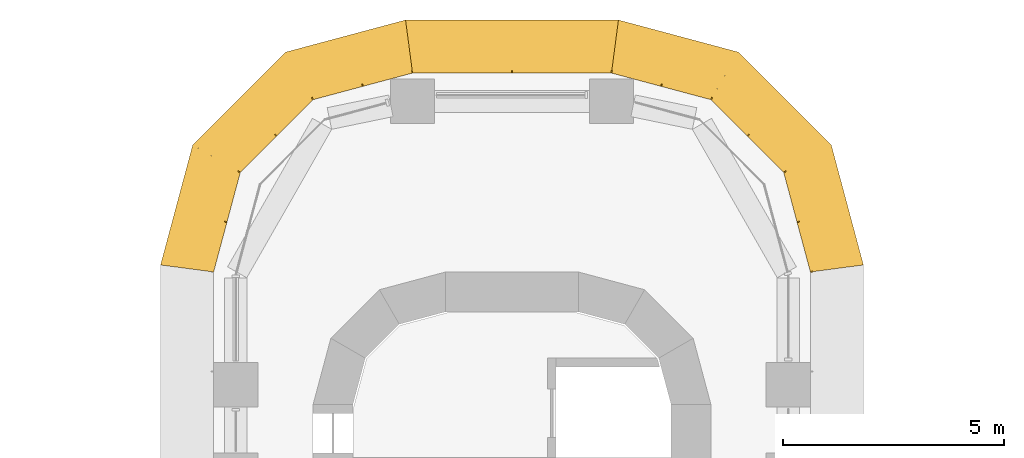
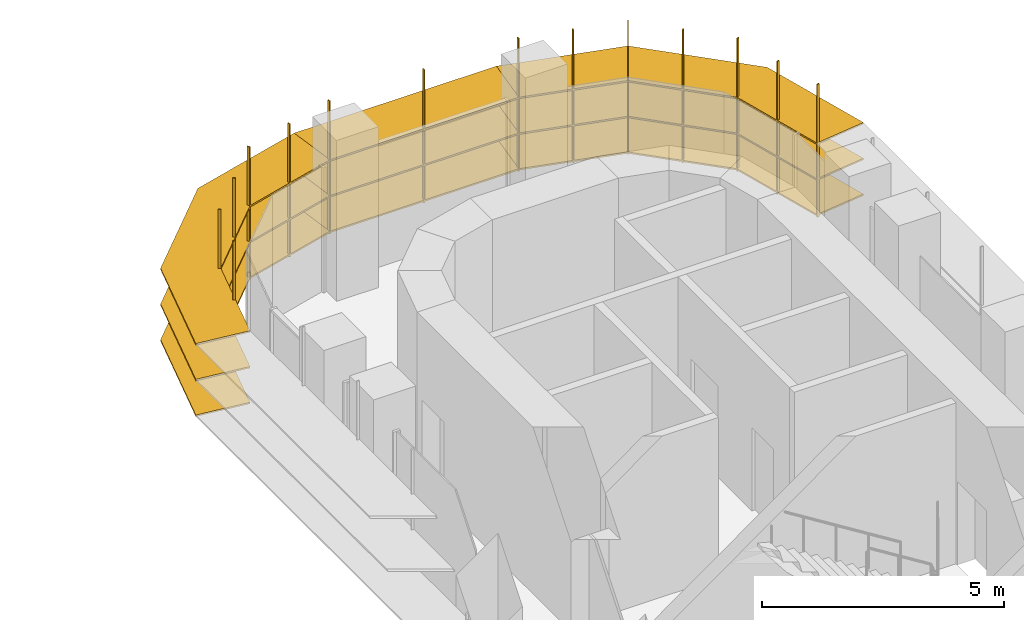
# One storey, part 23 of 23: 3 shading devices.
"""IFC4 building model written with IfcOpenShell, lengths in metres."""

from ifc_helpers import new_model, si_unit, direction, frame, origin, place, context, subcontext, project, spatial, polyline, outline, extrude, faceted_brep, source, transform, mapped, material, type_object, element, save


model = new_model("IFC4")

# Units and contexts
model_context = context("Model", 3, precision=1e-05, world=origin(), true_north=direction((0.0, 1.0)))
body_context = subcontext(model_context, "Body", "Model", "MODEL_VIEW")
ifc_project = project(units=[si_unit("LENGTHUNIT", "METRE"), si_unit("AREAUNIT", "SQUARE_METRE"), si_unit("VOLUMEUNIT", "CUBIC_METRE"), si_unit("PLANEANGLEUNIT", "RADIAN"), si_unit("MASSUNIT", "GRAM", prefix="KILO")], contexts=[model_context])

# Site, building, storey
site_placement = place(None, origin())
site = spatial("IfcSite", under=ifc_project, at=site_placement, CompositionType="ELEMENT")
building_placement = place(site_placement, origin())
building = spatial("IfcBuilding", under=site, at=building_placement, Name="Zarbagh Exchange Tower", CompositionType="ELEMENT")
storey_placement = place(building_placement, frame((0.0, 0.0, 35.39990234375)))
storey = spatial("IfcBuildingStorey", under=building, at=storey_placement, Name="L07", CompositionType="ELEMENT", Elevation=35.39990234375)

# Shading devices
ifc_material = material(Name="Anodised aluminium blades and brackets", Category="aluminium")
shading_device_type = type_object("IfcShadingDeviceType", Name="SUNSHADE louvre band, 0 degree blades", PredefinedType="JALOUSIE", material=ifc_material)
shared_shape_1 = source(origin(), body_context, "Body", "Brep", [
    faceted_brep([(0.0, 0.0, 0.0), (0.0, 0.0, -0.0400390625), (-0.157958984375, -1.199951171875, -0.0400390625), (-0.157958984375, -1.199951171875, 0.0), (2.65087890625, -1.199951171875, 0.0), (2.65087890625, -1.199951171875, -0.0400390625), (2.329345703125, 0.0, -0.0400390625), (2.329345703125, 0.0, 0.0)], [[[0, 1, 2, 3]], [[4, 5, 6, 7]], [[0, 7, 6, 1]], [[1, 6, 5, 2]], [[2, 5, 4, 3]], [[3, 4, 7, 0]]]),
])
shared_shape_2 = source(origin(), body_context, "Body", "Brep", [
    faceted_brep([(0.0, 0.0, 0.0), (0.0, 0.0, -0.0400390625), (-0.321533203125, -1.199951171875, -0.0400390625), (-0.321533203125, -1.199951171875, 0.0), (2.65087890625, -1.199951171875, 0.0), (2.65087890625, -1.199951171875, -0.0400390625), (2.329345703125, 0.0, -0.0400390625), (2.329345703125, 0.0, 0.0)], [[[0, 1, 2, 3]], [[4, 5, 6, 7]], [[0, 7, 6, 1]], [[1, 6, 5, 2]], [[2, 5, 4, 3]], [[3, 4, 7, 0]]]),
])
shared_shape_3 = source(origin(), body_context, "Body", "Brep", [
    faceted_brep([(0.0, 0.0, 0.0), (0.0, 0.0, -0.0400390625), (-0.321533203125, -1.199951171875, -0.0400390625), (-0.321533203125, -1.199951171875, 0.0), (2.4873046875, -1.199951171875, 0.0), (2.4873046875, -1.199951171875, -0.0400390625), (2.329345703125, 0.0, -0.0400390625), (2.329345703125, 0.0, 0.0)], [[[0, 1, 2, 3]], [[4, 5, 6, 7]], [[0, 7, 6, 1]], [[1, 6, 5, 2]], [[2, 5, 4, 3]], [[3, 4, 7, 0]]]),
])
shared_shape_4 = source(origin(), body_context, "Body", "SweptSolid", [
    extrude(outline(polyline([(0.0, -0.012451171875), (0.06005859375, -0.012451171875), (0.06005859375, 0.012451171875), (0.0, 0.012451171875), (0.0, -0.012451171875)])), origin(), (0.0, 0.0, 1.0), 3.35009765625),
])
placement = place(storey_placement, origin())
element("IfcShadingDevice", 1, at=placement, inside=storey, type_object=shading_device_type, Name="SS11 sunshade band", PredefinedType="JALOUSIE", context=body_context, shape_type="MappedRepresentation", body=[
    mapped(shared_shape_1, transform((6.75, 29.25, 2.7001953125), x_axis=(-0.258824779902, 0.965924289636, 0.0), y_axis=(-0.965924289636, -0.258824779902, 0.0), z_axis=(0.0, 0.0, 1.0))),
    mapped(shared_shape_1, transform((6.75, 29.25, 1.800048828125), x_axis=(-0.258824779902, 0.965924289636, 0.0), y_axis=(-0.965924289636, -0.258824779902, 0.0), z_axis=(0.0, 0.0, 1.0))),
    mapped(shared_shape_1, transform((6.75, 29.25, 0.900146484375), x_axis=(-0.258824779902, 0.965924289636, 0.0), y_axis=(-0.965924289636, -0.258824779902, 0.0), z_axis=(0.0, 0.0, 1.0))),
    mapped(shared_shape_2, transform((6.147216796875, 31.5, 2.7001953125), x_axis=(-0.707106781187, 0.707106781187, 0.0), y_axis=(-0.707106781187, -0.707106781187, 0.0), z_axis=(0.0, 0.0, 1.0))),
    mapped(shared_shape_2, transform((6.147216796875, 31.5, 1.800048828125), x_axis=(-0.707106781187, 0.707106781187, 0.0), y_axis=(-0.707106781187, -0.707106781187, 0.0), z_axis=(0.0, 0.0, 1.0))),
    mapped(shared_shape_2, transform((6.147216796875, 31.5, 0.900146484375), x_axis=(-0.707106781187, 0.707106781187, 0.0), y_axis=(-0.707106781187, -0.707106781187, 0.0), z_axis=(0.0, 0.0, 1.0))),
    mapped(shared_shape_3, transform((4.5, 33.147216796875, 2.7001953125), x_axis=(-0.965924289636, 0.258824779902, 0.0), y_axis=(-0.258824779902, -0.965924289636, 0.0), z_axis=(0.0, 0.0, 1.0))),
    mapped(shared_shape_3, transform((4.5, 33.147216796875, 1.800048828125), x_axis=(-0.965924289636, 0.258824779902, 0.0), y_axis=(-0.258824779902, -0.965924289636, 0.0), z_axis=(0.0, 0.0, 1.0))),
    mapped(shared_shape_3, transform((4.5, 33.147216796875, 0.900146484375), x_axis=(-0.965924289636, 0.258824779902, 0.0), y_axis=(-0.258824779902, -0.965924289636, 0.0), z_axis=(0.0, 0.0, 1.0))),
    mapped(shared_shape_4, transform((6.75, 29.25, 0.830078125), x_axis=(0.991444457092, 0.130529263012, 0.0), y_axis=(-0.130529263012, 0.991444457092, 0.0), z_axis=(0.0, 0.0, 1.0))),
    mapped(shared_shape_4, transform((6.448486328125, 30.375, 0.830078125), x_axis=(0.96592421511, 0.258825058029, 0.0), y_axis=(-0.258825058029, 0.96592421511, 0.0), z_axis=(0.0, 0.0, 1.0))),
    mapped(shared_shape_4, transform((6.147216796875, 31.5, 0.830078125), x_axis=(0.866023812018, 0.50000275701, 0.0), y_axis=(-0.50000275701, 0.866023812018, 0.0), z_axis=(0.0, 0.0, 1.0))),
    mapped(shared_shape_4, transform((5.323486328125, 32.323486328125, 0.830078125), x_axis=(0.707106781187, 0.707106781187, 0.0), y_axis=(-0.707106781187, 0.707106781187, 0.0), z_axis=(0.0, 0.0, 1.0))),
    mapped(shared_shape_4, transform((4.5, 33.147216796875, 0.830078125), x_axis=(0.50000275701, 0.866023812018, 0.0), y_axis=(-0.866023812018, 0.50000275701, 0.0), z_axis=(0.0, 0.0, 1.0))),
    mapped(shared_shape_4, transform((3.375, 33.448486328125, 0.830078125), x_axis=(0.258825058029, 0.96592421511, 0.0), y_axis=(-0.96592421511, 0.258825058029, 0.0), z_axis=(0.0, 0.0, 1.0))),
])
element("IfcShadingDevice", 2, at=placement, inside=storey, type_object=shading_device_type, Name="SS13 sunshade band", PredefinedType="JALOUSIE", context=body_context, shape_type="MappedRepresentation", body=[
    mapped(shared_shape_1, transform((-2.25, 33.75, 2.7001953125), x_axis=(-0.965924289636, -0.258824779902, 0.0), y_axis=(0.258824779902, -0.965924289636, 0.0), z_axis=(0.0, 0.0, 1.0))),
    mapped(shared_shape_1, transform((-2.25, 33.75, 1.800048828125), x_axis=(-0.965924289636, -0.258824779902, 0.0), y_axis=(0.258824779902, -0.965924289636, 0.0), z_axis=(0.0, 0.0, 1.0))),
    mapped(shared_shape_1, transform((-2.25, 33.75, 0.900146484375), x_axis=(-0.965924289636, -0.258824779902, 0.0), y_axis=(0.258824779902, -0.965924289636, 0.0), z_axis=(0.0, 0.0, 1.0))),
    mapped(shared_shape_2, transform((-4.5, 33.147216796875, 2.7001953125), x_axis=(-0.707106781187, -0.707106781187, 0.0), y_axis=(0.707106781187, -0.707106781187, 0.0), z_axis=(0.0, 0.0, 1.0))),
    mapped(shared_shape_2, transform((-4.5, 33.147216796875, 1.800048828125), x_axis=(-0.707106781187, -0.707106781187, 0.0), y_axis=(0.707106781187, -0.707106781187, 0.0), z_axis=(0.0, 0.0, 1.0))),
    mapped(shared_shape_2, transform((-4.5, 33.147216796875, 0.900146484375), x_axis=(-0.707106781187, -0.707106781187, 0.0), y_axis=(0.707106781187, -0.707106781187, 0.0), z_axis=(0.0, 0.0, 1.0))),
    mapped(shared_shape_3, transform((-6.147216796875, 31.5, 2.7001953125), x_axis=(-0.258824779902, -0.965924289636, 0.0), y_axis=(0.965924289636, -0.258824779902, 0.0), z_axis=(0.0, 0.0, 1.0))),
    mapped(shared_shape_3, transform((-6.147216796875, 31.5, 1.800048828125), x_axis=(-0.258824779902, -0.965924289636, 0.0), y_axis=(0.965924289636, -0.258824779902, 0.0), z_axis=(0.0, 0.0, 1.0))),
    mapped(shared_shape_3, transform((-6.147216796875, 31.5, 0.900146484375), x_axis=(-0.258824779902, -0.965924289636, 0.0), y_axis=(0.965924289636, -0.258824779902, 0.0), z_axis=(0.0, 0.0, 1.0))),
    mapped(shared_shape_4, transform((-2.25, 33.75, 0.830078125), x_axis=(-0.130529263012, 0.991444457092, 0.0), y_axis=(-0.991444457092, -0.130529263012, 0.0), z_axis=(0.0, 0.0, 1.0))),
    mapped(shared_shape_4, transform((-3.375, 33.448486328125, 0.830078125), x_axis=(-0.258825058029, 0.96592421511, 0.0), y_axis=(-0.96592421511, -0.258825058029, 0.0), z_axis=(0.0, 0.0, 1.0))),
    mapped(shared_shape_4, transform((-4.5, 33.147216796875, 0.830078125), x_axis=(-0.50000275701, 0.866023812018, 0.0), y_axis=(-0.866023812018, -0.50000275701, 0.0), z_axis=(0.0, 0.0, 1.0))),
    mapped(shared_shape_4, transform((-5.323486328125, 32.323486328125, 0.830078125), x_axis=(-0.707106781187, 0.707106781187, 0.0), y_axis=(-0.707106781187, -0.707106781187, 0.0), z_axis=(0.0, 0.0, 1.0))),
    mapped(shared_shape_4, transform((-6.147216796875, 31.5, 0.830078125), x_axis=(-0.866023812018, 0.50000275701, 0.0), y_axis=(-0.50000275701, -0.866023812018, 0.0), z_axis=(0.0, 0.0, 1.0))),
    mapped(shared_shape_4, transform((-6.448486328125, 30.375, 0.830078125), x_axis=(-0.96592421511, 0.258825058029, 0.0), y_axis=(-0.258825058029, -0.96592421511, 0.0), z_axis=(0.0, 0.0, 1.0))),
])
shared_shape_5 = source(origin(), body_context, "Body", "Brep", [
    faceted_brep([(0.0, 0.0, 0.0), (0.0, 0.0, -0.0400390625), (-0.157958984375, -1.199951171875, -0.0400390625), (-0.157958984375, -1.199951171875, 0.0), (4.657958984375, -1.199951171875, 0.0), (4.657958984375, -1.199951171875, -0.0400390625), (4.5, 0.0, -0.0400390625), (4.5, 0.0, 0.0)], [[[0, 1, 2, 3]], [[4, 5, 6, 7]], [[0, 7, 6, 1]], [[1, 6, 5, 2]], [[2, 5, 4, 3]], [[3, 4, 7, 0]]]),
])
element("IfcShadingDevice", 3, at=placement, inside=storey, type_object=shading_device_type, Name="SS12 sunshade band", PredefinedType="JALOUSIE", context=body_context, shape_type="MappedRepresentation", body=[
    mapped(shared_shape_5, transform((2.25, 33.75, 2.7001953125), x_axis=(-1.0, 0.0, 0.0), y_axis=(0.0, -1.0, 0.0), z_axis=(0.0, 0.0, 1.0))),
    mapped(shared_shape_5, transform((2.25, 33.75, 1.800048828125), x_axis=(-1.0, 0.0, 0.0), y_axis=(0.0, -1.0, 0.0), z_axis=(0.0, 0.0, 1.0))),
    mapped(shared_shape_5, transform((2.25, 33.75, 0.900146484375), x_axis=(-1.0, 0.0, 0.0), y_axis=(0.0, -1.0, 0.0), z_axis=(0.0, 0.0, 1.0))),
    mapped(shared_shape_4, transform((2.25, 33.75, 0.830078125), x_axis=(0.130529263012, 0.991444457092, 0.0), y_axis=(-0.991444457092, 0.130529263012, 0.0), z_axis=(0.0, 0.0, 1.0))),
    mapped(shared_shape_4, transform((0.0, 33.75, 0.830078125), x_axis=(0.0, 1.0, 0.0), y_axis=(-1.0, 0.0, 0.0), z_axis=(0.0, 0.0, 1.0))),
])

save(model, "model.ifc")
